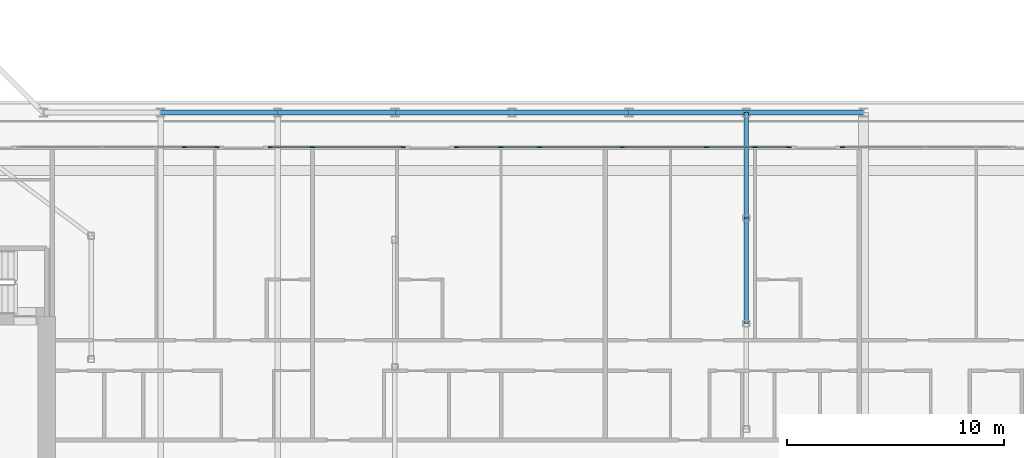
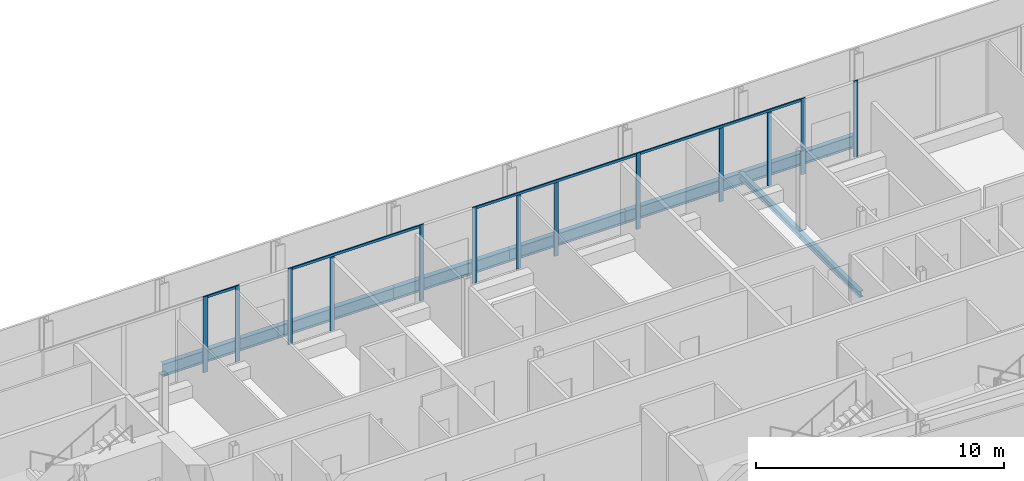
# One storey, part 8 of 29: 17 members, 8 beams, 6 elements without a shape of their own.
"""IFC4 building model written with IfcOpenShell, lengths in metres."""

from ifc_helpers import new_model, si_unit, direction, frame, origin, origin_2d, place, context, subcontext, project, spatial, rectangle, i_section, extrude, material, layer, layer_set, material_profile, profile_set, type_object, element, aggregate, save


model = new_model("IFC4")

# Units and contexts
model_context = context("Model", 3, precision=1e-05, world=origin(), true_north=direction((0.0, 1.0)))
body_context = subcontext(model_context, "Body", "Model", "MODEL_VIEW")
ifc_project = project(units=[si_unit("LENGTHUNIT", "METRE"), si_unit("AREAUNIT", "SQUARE_METRE"), si_unit("VOLUMEUNIT", "CUBIC_METRE"), si_unit("PLANEANGLEUNIT", "RADIAN"), si_unit("MASSUNIT", "GRAM", prefix="KILO")], contexts=[model_context])

# Site, building, storey
site_placement = place(None, origin())
site = spatial("IfcSite", under=ifc_project, at=site_placement, CompositionType="ELEMENT")
building_placement = place(site_placement, origin())
building = spatial("IfcBuilding", under=site, at=building_placement, Name="Kheshtan School and Residences Tower", CompositionType="ELEMENT")
storey_placement = place(building_placement, frame((0.0, 0.0, 183.800048828125)))
storey = spatial("IfcBuildingStorey", under=building, at=storey_placement, Name="L43", CompositionType="ELEMENT", Elevation=183.800048828125)

# Beams
ifc_material_1 = material(Name="Steel ASTM A992 Grade 50", Category="steel")
ifc_material_profile_1 = material_profile(ifc_material_1, i_section(OverallWidth=0.202880859375, OverallDepth=0.302978515625, WebThickness=0.007568359375, FlangeThickness=0.01318359375, FilletRadius=0.009033203125, at=origin_2d()), Name="W310x60")
ifc_profile_set_1 = profile_set([ifc_material_profile_1], Name="Steel ASTM A992 Grade 50")
beam_type_1 = type_object("IfcBeamType", Name="Beam FB1 W310x60 ASTM A992 Grade 50", PredefinedType="BEAM", material=ifc_profile_set_1)
for number, where, z_axis, x_axis, name in (
    (1, (85.39990234375, 45.60009765625, -0.301513671875), (0.0, -1.0, 0.0), (1.0, 0.0, 0.0), "Floor beam C067"),
    (2, (85.39990234375, 40.735107421875, -0.301513671875), (0.0, -1.0, 0.0), (1.0, 0.0, 0.0), "Floor beam IC"),
):
    element("IfcBeam", number, at=place(storey_placement, frame(where, z_axis=z_axis, x_axis=x_axis)), inside=storey, type_object=beam_type_1, Name=name, PredefinedType="BEAM", context=body_context, shape_type="SweptSolid", body=[
        extrude(i_section(OverallWidth=0.202880859375, OverallDepth=0.302978515625, WebThickness=0.007568359375, FlangeThickness=0.01318359375, FilletRadius=0.009033203125, at=origin_2d()), origin(), (0.0, 0.0, 1.0), 4.864990234375),
    ])
ifc_material_profile_2 = material_profile(ifc_material_1, i_section(OverallWidth=0.22802734375, OverallDepth=0.60302734375, WebThickness=0.010498046875, FlangeThickness=0.014892578125, FilletRadius=0.013427734375, at=origin_2d()), Name="W610x101")
ifc_profile_set_2 = profile_set([ifc_material_profile_2], Name="Steel ASTM A992 Grade 50")
beam_type_2 = type_object("IfcBeamType", Name="Beam SP2 W610x101 ASTM A992 Grade 50", PredefinedType="BEAM", material=ifc_profile_set_2)
beam_1_placement = place(storey_placement, frame((58.39990234375, 45.60009765625, -0.45166015625), z_axis=(1.0, 0.0, 0.0), x_axis=(0.0, 1.0, 0.0)))
element("IfcBeam", 3, at=beam_1_placement, inside=storey, type_object=beam_type_2, Name="Spandrel beam C062-C063", PredefinedType="BEAM", context=body_context, shape_type="SweptSolid", body=[
    extrude(i_section(OverallWidth=0.22802734375, OverallDepth=0.60302734375, WebThickness=0.010498046875, FlangeThickness=0.014892578125, FilletRadius=0.013427734375, at=origin_2d()), origin(), (0.0, 0.0, 1.0), 5.400146484375),
])
beam_2_placement = place(storey_placement, frame((63.800048828125, 45.60009765625, -0.45166015625), z_axis=(1.0, 0.0, 0.0), x_axis=(0.0, 1.0, 0.0)))
element("IfcBeam", 4, at=beam_2_placement, inside=storey, type_object=beam_type_2, Name="Spandrel beam C063-C064", PredefinedType="BEAM", context=body_context, shape_type="SweptSolid", body=[
    extrude(i_section(OverallWidth=0.22802734375, OverallDepth=0.60302734375, WebThickness=0.010498046875, FlangeThickness=0.014892578125, FilletRadius=0.013427734375, at=origin_2d()), origin(), (0.0, 0.0, 1.0), 5.39990234375),
])
beam_3_placement = place(storey_placement, frame((69.199951171875, 45.60009765625, -0.45166015625), z_axis=(1.0, 0.0, 0.0), x_axis=(0.0, 1.0, 0.0)))
element("IfcBeam", 5, at=beam_3_placement, inside=storey, type_object=beam_type_2, Name="Spandrel beam C064-C065", PredefinedType="BEAM", context=body_context, shape_type="SweptSolid", body=[
    extrude(i_section(OverallWidth=0.22802734375, OverallDepth=0.60302734375, WebThickness=0.010498046875, FlangeThickness=0.014892578125, FilletRadius=0.013427734375, at=origin_2d()), origin(), (0.0, 0.0, 1.0), 5.400146484375),
])
for number, where, z_axis, x_axis, name in (
    (6, (74.60009765625, 45.60009765625, -0.45166015625), (1.0, 0.0, 0.0), (0.0, 1.0, 0.0), "Spandrel beam C065-C066"),
    (7, (80.0, 45.60009765625, -0.45166015625), (1.0, 0.0, 0.0), (0.0, 1.0, 0.0), "Spandrel beam C066-C067"),
):
    element("IfcBeam", number, at=place(storey_placement, frame(where, z_axis=z_axis, x_axis=x_axis)), inside=storey, type_object=beam_type_2, Name=name, PredefinedType="BEAM", context=body_context, shape_type="SweptSolid", body=[
        extrude(i_section(OverallWidth=0.22802734375, OverallDepth=0.60302734375, WebThickness=0.010498046875, FlangeThickness=0.014892578125, FilletRadius=0.013427734375, at=origin_2d()), origin(), (0.0, 0.0, 1.0), 5.39990234375),
    ])
beam_4_placement = place(storey_placement, frame((85.39990234375, 45.60009765625, -0.45166015625), z_axis=(1.0, 0.0, 0.0), x_axis=(0.0, 1.0, 0.0)))
element("IfcBeam", 8, at=beam_4_placement, inside=storey, type_object=beam_type_2, Name="Spandrel beam C067-C068", PredefinedType="BEAM", context=body_context, shape_type="SweptSolid", body=[
    extrude(i_section(OverallWidth=0.22802734375, OverallDepth=0.60302734375, WebThickness=0.010498046875, FlangeThickness=0.014892578125, FilletRadius=0.013427734375, at=origin_2d()), origin(), (0.0, 0.0, 1.0), 5.400146484375),
])

# Curtain wall, member
ifc_material_2 = material(Name="Clear low-e glass in thermally broken aluminium frame", Category="aluminium")
ifc_layer = layer(ifc_material_2, 0.199951171875)
ifc_layer_set = layer_set([ifc_layer], Name="Curtain wall CW-L")
curtain_wall_type = type_object("IfcCurtainWallType", Name="Curtain wall CW-L", PredefinedType="NOTDEFINED", material=ifc_layer_set)
curtain_wall_1_placement = place(storey_placement, origin())
curtain_wall_1 = element("IfcCurtainWall", 9, at=curtain_wall_1_placement, inside=storey, type_object=curtain_wall_type, Name="Curtain wall CWL12k", PredefinedType="NOTDEFINED")
ifc_material_3 = material(Name="Thermally broken aluminium, dark bronze anodised", Category="aluminium")
ifc_material_profile_3 = material_profile(ifc_material_3, rectangle(XDim=0.06005859375, YDim=0.199951171875, at=origin_2d()), Name="CW-L mullion 60x200")
ifc_profile_set_3 = profile_set([ifc_material_profile_3], Name="Thermally broken aluminium, dark bronze anodised")
member_type_1 = type_object("IfcMemberType", Name="CW-L mullion 60x200", PredefinedType="MULLION", material=ifc_profile_set_3)
member_1_placement = place(storey_placement, frame((59.493896484375, 44.0, 0.0), z_axis=(0.0, 0.0, 1.0), x_axis=(0.0, 1.0, 0.0)))
member_1 = element("IfcMember", 10, at=member_1_placement, type_object=member_type_1, Name="CWL12k mullion 4", PredefinedType="MULLION", context=body_context, shape_type="SweptSolid", body=[
    extrude(rectangle(XDim=0.06005859375, YDim=0.199951171875, at=origin_2d()), origin(), (0.0, 0.0, 1.0), 3.75),
])
aggregate(curtain_wall_1, [member_1])

curtain_wall_2_placement = place(storey_placement, origin())
curtain_wall_2 = element("IfcCurtainWall", 11, at=curtain_wall_2_placement, inside=storey, type_object=curtain_wall_type, Name="Curtain wall CWL12w", PredefinedType="NOTDEFINED")
member_2_placement = place(storey_placement, frame((60.993896484375, 44.0, 0.0), z_axis=(0.0, 0.0, 1.0), x_axis=(0.0, 1.0, 0.0)))
member_2 = element("IfcMember", 12, at=member_2_placement, type_object=member_type_1, Name="CWL12w mullion 2", PredefinedType="MULLION", context=body_context, shape_type="SweptSolid", body=[
    extrude(rectangle(XDim=0.06005859375, YDim=0.199951171875, at=origin_2d()), origin(), (0.0, 0.0, 1.0), 3.75),
])

# Curtain wall, members
curtain_wall_3_placement = place(storey_placement, origin())
curtain_wall_3 = element("IfcCurtainWall", 13, at=curtain_wall_3_placement, inside=storey, type_object=curtain_wall_type, Name="Curtain wall CWL1227", PredefinedType="NOTDEFINED")
member_3_placement = place(storey_placement, frame((63.4541015625, 44.0, 0.0), z_axis=(0.0, 0.0, 1.0), x_axis=(0.0, 1.0, 0.0)))
member_3 = element("IfcMember", 14, at=member_3_placement, type_object=member_type_1, Name="CWL1227 mullion 1", PredefinedType="MULLION", context=body_context, shape_type="SweptSolid", body=[
    extrude(rectangle(XDim=0.06005859375, YDim=0.199951171875, at=origin_2d()), origin(), (0.0, 0.0, 1.0), 3.75),
])
member_4_placement = place(storey_placement, frame((65.39990234375, 44.0, 0.0), z_axis=(0.0, 0.0, 1.0), x_axis=(0.0, 1.0, 0.0)))
member_4 = element("IfcMember", 15, at=member_4_placement, type_object=member_type_1, Name="CWL1227 mullion 2", PredefinedType="MULLION", context=body_context, shape_type="SweptSolid", body=[
    extrude(rectangle(XDim=0.06005859375, YDim=0.199951171875, at=origin_2d()), origin(), (0.0, 0.0, 1.0), 3.6298828125),
])
member_5_placement = place(storey_placement, frame((69.587890625, 44.0, 0.0), z_axis=(0.0, 0.0, 1.0), x_axis=(0.0, 1.0, 0.0)))
member_5 = element("IfcMember", 16, at=member_5_placement, type_object=member_type_1, Name="CWL1227 mullion 3", PredefinedType="MULLION", context=body_context, shape_type="SweptSolid", body=[
    extrude(rectangle(XDim=0.06005859375, YDim=0.199951171875, at=origin_2d()), origin(), (0.0, 0.0, 1.0), 3.75),
])

curtain_wall_4_placement = place(storey_placement, origin())
curtain_wall_4 = element("IfcCurtainWall", 17, at=curtain_wall_4_placement, inside=storey, type_object=curtain_wall_type, Name="Curtain wall CWL12k", PredefinedType="NOTDEFINED")
member_6_placement = place(storey_placement, frame((72.048095703125, 44.0, 0.0), z_axis=(0.0, 0.0, 1.0), x_axis=(0.0, 1.0, 0.0)))
member_6 = element("IfcMember", 18, at=member_6_placement, type_object=member_type_1, Name="CWL12k mullion 1", PredefinedType="MULLION", context=body_context, shape_type="SweptSolid", body=[
    extrude(rectangle(XDim=0.06005859375, YDim=0.199951171875, at=origin_2d()), origin(), (0.0, 0.0, 1.0), 3.75),
])
member_7_placement = place(storey_placement, frame((74.10009765625, 44.0, 0.0), z_axis=(0.0, 0.0, 1.0), x_axis=(0.0, 1.0, 0.0)))
member_7 = element("IfcMember", 19, at=member_7_placement, type_object=member_type_1, Name="CWL12k mullion 2", PredefinedType="MULLION", context=body_context, shape_type="SweptSolid", body=[
    extrude(rectangle(XDim=0.06005859375, YDim=0.199951171875, at=origin_2d()), origin(), (0.0, 0.0, 1.0), 3.6298828125),
])
member_8_placement = place(storey_placement, frame((75.864990234375, 44.0, 0.0), z_axis=(0.0, 0.0, 1.0), x_axis=(0.0, 1.0, 0.0)))
member_8 = element("IfcMember", 20, at=member_8_placement, type_object=member_type_1, Name="CWL12k mullion 3", PredefinedType="MULLION", context=body_context, shape_type="SweptSolid", body=[
    extrude(rectangle(XDim=0.06005859375, YDim=0.199951171875, at=origin_2d()), origin(), (0.0, 0.0, 1.0), 3.6298828125),
])
member_9_placement = place(storey_placement, frame((79.681884765625, 44.0, 0.0), z_axis=(0.0, 0.0, 1.0), x_axis=(0.0, 1.0, 0.0)))
member_9 = element("IfcMember", 21, at=member_9_placement, type_object=member_type_1, Name="CWL12k mullion 4", PredefinedType="MULLION", context=body_context, shape_type="SweptSolid", body=[
    extrude(rectangle(XDim=0.06005859375, YDim=0.199951171875, at=origin_2d()), origin(), (0.0, 0.0, 1.0), 3.75),
])

curtain_wall_5_placement = place(storey_placement, origin())
curtain_wall_5 = element("IfcCurtainWall", 22, at=curtain_wall_5_placement, inside=storey, type_object=curtain_wall_type, Name="Curtain wall CWL12k", PredefinedType="NOTDEFINED")
member_10_placement = place(storey_placement, frame((83.55908203125, 44.0, 0.0), z_axis=(0.0, 0.0, 1.0), x_axis=(0.0, 1.0, 0.0)))
member_10 = element("IfcMember", 23, at=member_10_placement, type_object=member_type_1, Name="CWL12k mullion 2", PredefinedType="MULLION", context=body_context, shape_type="SweptSolid", body=[
    extrude(rectangle(XDim=0.06005859375, YDim=0.199951171875, at=origin_2d()), origin(), (0.0, 0.0, 1.0), 3.6298828125),
])
member_11_placement = place(storey_placement, frame((85.800048828125, 44.0, 0.0), z_axis=(0.0, 0.0, 1.0), x_axis=(0.0, 1.0, 0.0)))
member_11 = element("IfcMember", 24, at=member_11_placement, type_object=member_type_1, Name="CWL12k mullion 3", PredefinedType="MULLION", context=body_context, shape_type="SweptSolid", body=[
    extrude(rectangle(XDim=0.06005859375, YDim=0.199951171875, at=origin_2d()), origin(), (0.0, 0.0, 1.0), 3.6298828125),
])
member_12_placement = place(storey_placement, frame((87.3759765625, 44.0, 0.0), z_axis=(0.0, 0.0, 1.0), x_axis=(0.0, 1.0, 0.0)))
member_12 = element("IfcMember", 25, at=member_12_placement, type_object=member_type_1, Name="CWL12k mullion 4", PredefinedType="MULLION", context=body_context, shape_type="SweptSolid", body=[
    extrude(rectangle(XDim=0.06005859375, YDim=0.199951171875, at=origin_2d()), origin(), (0.0, 0.0, 1.0), 3.75),
])

# Curtain wall, member
curtain_wall_6_placement = place(storey_placement, origin())
curtain_wall_6 = element("IfcCurtainWall", 26, at=curtain_wall_6_placement, inside=storey, type_object=curtain_wall_type, Name="Curtain wall CWL12k", PredefinedType="NOTDEFINED")
member_13_placement = place(storey_placement, frame((89.8359375, 44.0, 0.0), z_axis=(0.0, 0.0, 1.0), x_axis=(0.0, 1.0, 0.0)))
member_13 = element("IfcMember", 27, at=member_13_placement, type_object=member_type_1, Name="CWL12k mullion 1", PredefinedType="MULLION", context=body_context, shape_type="SweptSolid", body=[
    extrude(rectangle(XDim=0.06005859375, YDim=0.199951171875, at=origin_2d()), origin(), (0.0, 0.0, 1.0), 3.75),
])
aggregate(curtain_wall_6, [member_13])

# Member
ifc_material_profile_4 = material_profile(ifc_material_3, rectangle(XDim=0.06005859375, YDim=0.1201171875, at=origin_2d()), Name="CW-L transom 60x120")
ifc_profile_set_4 = profile_set([ifc_material_profile_4], Name="Thermally broken aluminium, dark bronze anodised")
member_type_2 = type_object("IfcMemberType", Name="CW-L transom 60x120", PredefinedType="USERDEFINED", material=ifc_profile_set_4)
member_14_placement = place(storey_placement, frame((59.52392578125, 44.0, 3.68994140625), z_axis=(1.0, 0.0, 0.0), x_axis=(0.0, 1.0, 0.0)))
member_14 = element("IfcMember", 28, at=member_14_placement, type_object=member_type_2, Name="CWL12w transom 1", ObjectType="TRANSOM", PredefinedType="USERDEFINED", context=body_context, shape_type="SweptSolid", body=[
    extrude(rectangle(XDim=0.06005859375, YDim=0.1201171875, at=origin_2d()), origin(), (0.0, 0.0, 1.0), 1.440185546875),
])

aggregate(curtain_wall_2, [member_2, member_14])

member_15_placement = place(storey_placement, frame((63.48388671875, 44.0, 3.68994140625), z_axis=(1.0, 0.0, 0.0), x_axis=(0.0, 1.0, 0.0)))
member_15 = element("IfcMember", 29, at=member_15_placement, type_object=member_type_2, Name="CWL1227 transom 1", ObjectType="TRANSOM", PredefinedType="USERDEFINED", context=body_context, shape_type="SweptSolid", body=[
    extrude(rectangle(XDim=0.06005859375, YDim=0.1201171875, at=origin_2d()), origin(), (0.0, 0.0, 1.0), 6.07421875),
])

aggregate(curtain_wall_3, [member_3, member_4, member_5, member_15])

member_16_placement = place(storey_placement, frame((72.077880859375, 44.0, 3.68994140625), z_axis=(1.0, 0.0, 0.0), x_axis=(0.0, 1.0, 0.0)))
member_16 = element("IfcMember", 30, at=member_16_placement, type_object=member_type_2, Name="CWL12k transom 1", ObjectType="TRANSOM", PredefinedType="USERDEFINED", context=body_context, shape_type="SweptSolid", body=[
    extrude(rectangle(XDim=0.06005859375, YDim=0.1201171875, at=origin_2d()), origin(), (0.0, 0.0, 1.0), 7.57421875),
])

aggregate(curtain_wall_4, [member_6, member_7, member_8, member_9, member_16])

member_17_placement = place(storey_placement, frame((79.7119140625, 44.0, 3.68994140625), z_axis=(1.0, 0.0, 0.0), x_axis=(0.0, 1.0, 0.0)))
member_17 = element("IfcMember", 31, at=member_17_placement, type_object=member_type_2, Name="CWL12k transom 1", ObjectType="TRANSOM", PredefinedType="USERDEFINED", context=body_context, shape_type="SweptSolid", body=[
    extrude(rectangle(XDim=0.06005859375, YDim=0.1201171875, at=origin_2d()), origin(), (0.0, 0.0, 1.0), 7.634033203125),
])

aggregate(curtain_wall_5, [member_10, member_11, member_12, member_17])

save(model, "model.ifc")
